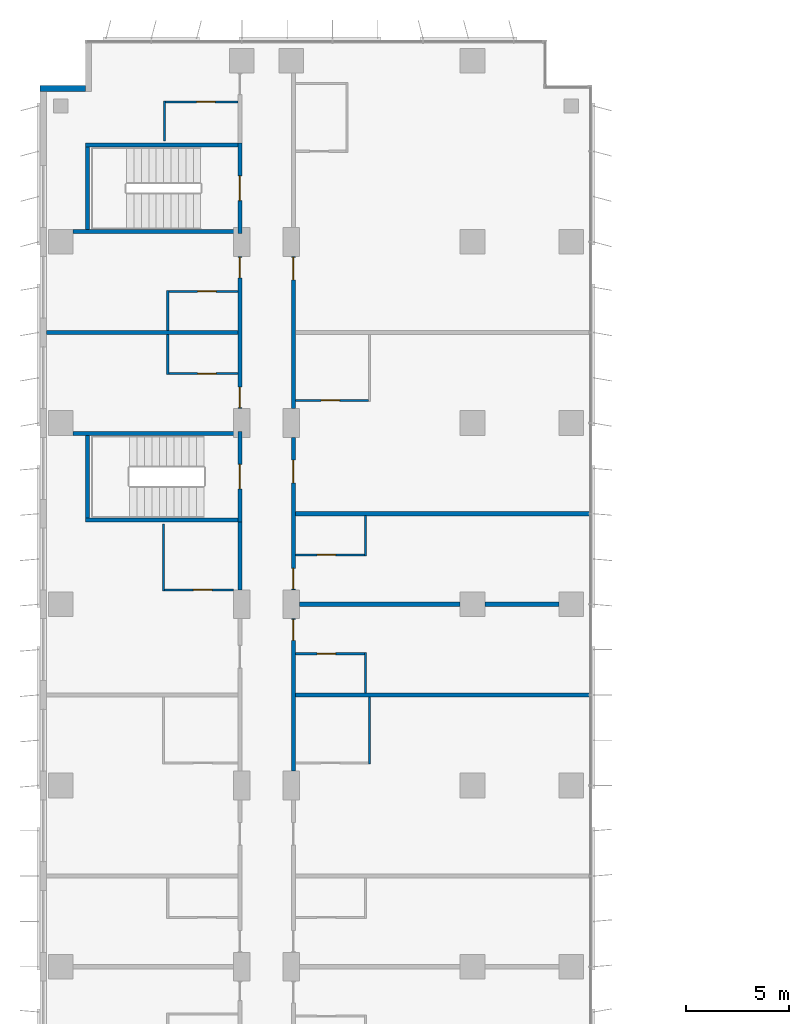
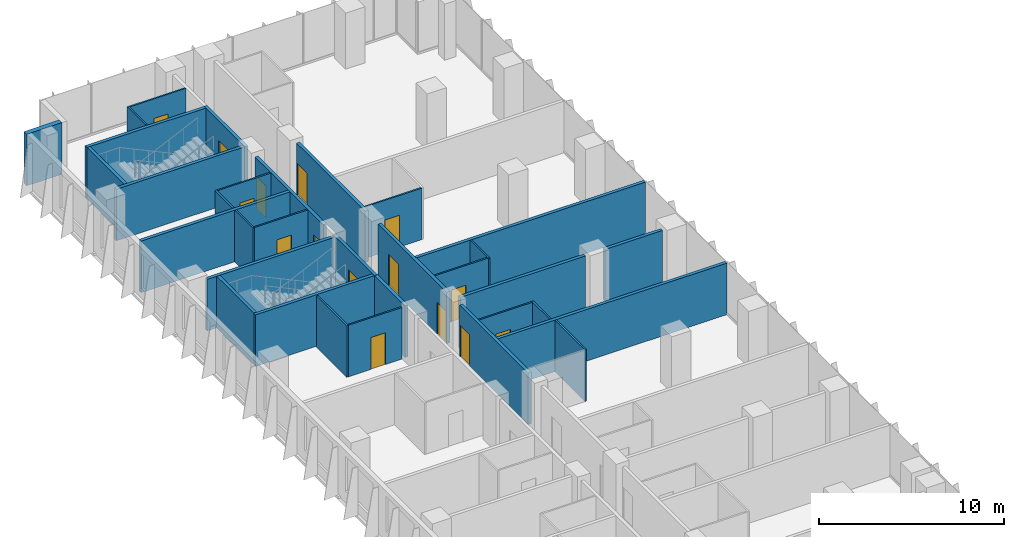
# One storey, part 17 of 23: 33 walls, 15 doors, 15 openings.
"""IFC4 building model written with IfcOpenShell, lengths in metres."""

from ifc_helpers import new_model, si_unit, direction, frame, frame_2d, origin, place, context, subcontext, project, spatial, rectangle, extrude, material, layer, layer_set, type_object, element, fill, save


model = new_model("IFC4")

# Units and contexts
model_context = context("Model", 3, precision=1e-05, world=origin(), true_north=direction((0.0, 1.0)))
body_context = subcontext(model_context, "Body", "Model", "MODEL_VIEW")
ifc_project = project(units=[si_unit("LENGTHUNIT", "METRE"), si_unit("AREAUNIT", "SQUARE_METRE"), si_unit("VOLUMEUNIT", "CUBIC_METRE"), si_unit("PLANEANGLEUNIT", "RADIAN"), si_unit("MASSUNIT", "GRAM", prefix="KILO")], contexts=[model_context])

# Site, building, storey
site_placement = place(None, origin())
site = spatial("IfcSite", under=ifc_project, at=site_placement, CompositionType="ELEMENT")
building_placement = place(site_placement, origin())
building = spatial("IfcBuilding", under=site, at=building_placement, Name="Kemantara Hotel Tower", CompositionType="ELEMENT")
storey_placement = place(building_placement, frame((0.0, 0.0, 138.300048828125)))
storey = spatial("IfcBuildingStorey", under=building, at=storey_placement, Name="L33", CompositionType="ELEMENT", Elevation=138.300048828125)

# Walls
ifc_material_1 = material(Name="Bronze anodised aluminium cladding on insulated steel stud wall", Category="steel")
ifc_layer_1 = layer(ifc_material_1, 0.300048828125)
ifc_layer_set_1 = layer_set([ifc_layer_1], Name="Bronze anodised aluminium cladding on insulated steel stud wall")
wall_type_1 = type_object("IfcWallType", Name="BRONZE METAL-CLAD EXTERNAL WALL 300", PredefinedType="STANDARD", material=ifc_layer_set_1)
wall_1_placement = place(storey_placement, frame((2.199951171875, 78.85009765625, 0.0), z_axis=(0.0, 0.0, 1.0), x_axis=(-1.0, 0.0, 0.0)))
element("IfcWall", 1, at=wall_1_placement, inside=storey, type_object=wall_type_1, Name="EXTERNAL WALL L33 T2-R03", PredefinedType="STANDARD", context=body_context, shape_type="SweptSolid", body=[
    extrude(rectangle(XDim=2.199951171875, YDim=0.300048828125, at=frame_2d((1.10009765625, 0.0))), origin(), (0.0, 0.0, 1.0), 3.39990234375),
])
ifc_material_2 = material(Name="Gypsum board partition, steel studs and mineral wool, 200 mm", Category="steel")
ifc_layer_2 = layer(ifc_material_2, 0.199951171875)
ifc_layer_set_2 = layer_set([ifc_layer_2], Name="Gypsum board partition, steel studs and mineral wool, 200 mm")
wall_type_2 = type_object("IfcWallType", Name="CORRIDOR WALL 200", PredefinedType="PARTITIONING", material=ifc_layer_set_2)
wall_2_placement = place(storey_placement, frame((9.699951171875, 54.5, 0.0), z_axis=(0.0, 0.0, 1.0), x_axis=(0.0, 1.0, 0.0)))
element("IfcWall", 2, at=wall_2_placement, inside=storey, type_object=wall_type_2, Name="CORRIDOR WALL 200 023", PredefinedType="PARTITIONING", context=body_context, shape_type="SweptSolid", body=[
    extrude(rectangle(XDim=3.300048828125, YDim=0.199951171875, at=frame_2d((1.64990234375, 0.0))), origin(), (0.0, 0.0, 1.0), 3.39990234375),
])

# Wall, openings, doors
wall_3_placement = place(storey_placement, frame((9.699951171875, 63.300048828125, 0.0), z_axis=(0.0, 0.0, 1.0), x_axis=(0.0, 1.0, 0.0)))
wall_3 = element("IfcWall", 3, at=wall_3_placement, inside=storey, type_object=wall_type_2, Name="CORRIDOR WALL 200 024", PredefinedType="PARTITIONING", context=body_context, shape_type="SweptSolid", body=[
    extrude(rectangle(XDim=7.39990234375, YDim=0.199951171875, at=frame_2d((3.699951171875, 0.0))), origin(), (0.0, 0.0, 1.0), 3.39990234375),
])
opening_1_placement = place(wall_3_placement, frame((0.0498046875, 0.0, 0.0)))
opening_1 = element("IfcOpeningElement", 4, at=opening_1_placement, cuts=wall_3, Name="Opening F15-035", PredefinedType="OPENING", context=body_context, shape_type="SweptSolid", body=[
    extrude(rectangle(XDim=1.0, YDim=2.10009765625, at=frame_2d((0.5, 1.050048828125))), frame((0.0, 0.10986328125, 0.0), z_axis=(0.0, -1.0, 0.0), x_axis=(1.0, 0.0, 0.0)), (0.0, 0.0, 1.0), 0.219970703125),
])
opening_2_placement = place(wall_3_placement, frame((6.349853515625, 0.0, 0.0)))
opening_2 = element("IfcOpeningElement", 5, at=opening_2_placement, cuts=wall_3, Name="Opening F15-037", PredefinedType="OPENING", context=body_context, shape_type="SweptSolid", body=[
    extrude(rectangle(XDim=1.0, YDim=2.10009765625, at=frame_2d((0.5, 1.050048828125))), frame((0.0, 0.10986328125, 0.0), z_axis=(0.0, -1.0, 0.0), x_axis=(1.0, 0.0, 0.0)), (0.0, 0.0, 1.0), 0.219970703125),
])
ifc_material_3 = material(Name="Hardwood veneer door leaf with steel frame", Category="steel")
door_type_1 = type_object("IfcDoorType", Name="GUEST ROOM DOOR 1000 X 2100 FD30S", OperationType="NOTDEFINED", PredefinedType="DOOR", material=ifc_material_3)
door_1_placement = place(opening_1_placement, origin())
door_1 = element("IfcDoor", 6, at=door_1_placement, inside=storey, type_object=door_type_1, Name="GUEST ROOM DOOR F15-035", OperationType="SINGLE_SWING_LEFT", OverallHeight=2.10009765625, OverallWidth=1.0, PredefinedType="DOOR", context=body_context, shape_type="SweptSolid", body=[
    extrude(rectangle(XDim=1.0, YDim=2.10009765625, at=frame_2d((0.5, 1.050048828125))), frame((0.0, 0.02490234375, 0.0), z_axis=(0.0, -1.0, 0.0), x_axis=(1.0, 0.0, 0.0)), (0.0, 0.0, 1.0), 0.050048828125),
])
fill(opening_1, door_1)
door_2_placement = place(opening_2_placement, origin())
door_2 = element("IfcDoor", 7, at=door_2_placement, inside=storey, type_object=door_type_1, Name="GUEST ROOM DOOR F15-037", OperationType="SINGLE_SWING_RIGHT", OverallHeight=2.10009765625, OverallWidth=1.0, PredefinedType="DOOR", context=body_context, shape_type="SweptSolid", body=[
    extrude(rectangle(XDim=1.0, YDim=2.10009765625, at=frame_2d((0.5, 1.050048828125))), frame((0.0, 0.02490234375, 0.0), z_axis=(0.0, -1.0, 0.0), x_axis=(1.0, 0.0, 0.0)), (0.0, 0.0, 1.0), 0.050048828125),
])
fill(opening_2, door_2)

# Wall, opening, door
wall_4_placement = place(storey_placement, frame((12.300048828125, 53.099853515625, 0.0), z_axis=(0.0, 0.0, 1.0), x_axis=(0.0, -1.0, 0.0)))
wall_4 = element("IfcWall", 8, at=wall_4_placement, inside=storey, type_object=wall_type_2, Name="CORRIDOR WALL 200 042", PredefinedType="PARTITIONING", context=body_context, shape_type="SweptSolid", body=[
    extrude(rectangle(XDim=7.399658203125, YDim=0.199951171875, at=frame_2d((3.69970703125, 0.0))), origin(), (0.0, 0.0, 1.0), 3.39990234375),
])
opening_3_placement = place(wall_4_placement, frame((0.0498046875, 0.0, 0.0)))
opening_3 = element("IfcOpeningElement", 9, at=opening_3_placement, cuts=wall_4, Name="Opening F15-049", PredefinedType="OPENING", context=body_context, shape_type="SweptSolid", body=[
    extrude(rectangle(XDim=1.0, YDim=2.10009765625, at=frame_2d((0.5, 1.050048828125))), frame((0.0, 0.10986328125, 0.0), z_axis=(0.0, -1.0, 0.0), x_axis=(1.0, 0.0, 0.0)), (0.0, 0.0, 1.0), 0.219970703125),
])
door_3_placement = place(opening_3_placement, origin())
door_3 = element("IfcDoor", 10, at=door_3_placement, inside=storey, type_object=door_type_1, Name="GUEST ROOM DOOR F15-049", OperationType="SINGLE_SWING_LEFT", OverallHeight=2.10009765625, OverallWidth=1.0, PredefinedType="DOOR", context=body_context, shape_type="SweptSolid", body=[
    extrude(rectangle(XDim=1.0, YDim=2.10009765625, at=frame_2d((0.5, 1.050048828125))), frame((0.0, 0.02490234375, 0.0), z_axis=(0.0, -1.0, 0.0), x_axis=(1.0, 0.0, 0.0)), (0.0, 0.0, 1.0), 0.050048828125),
])
fill(opening_3, door_3)

# Wall, openings, doors
wall_5_placement = place(storey_placement, frame((12.300048828125, 61.89990234375, 0.0), z_axis=(0.0, 0.0, 1.0), x_axis=(0.0, -1.0, 0.0)))
wall_5 = element("IfcWall", 11, at=wall_5_placement, inside=storey, type_object=wall_type_2, Name="CORRIDOR WALL 200 043", PredefinedType="PARTITIONING", context=body_context, shape_type="SweptSolid", body=[
    extrude(rectangle(XDim=7.39990234375, YDim=0.199951171875, at=frame_2d((3.699951171875, 0.0))), origin(), (0.0, 0.0, 1.0), 3.39990234375),
])
opening_4_placement = place(wall_5_placement, frame((6.349853515625, 0.0, 0.0)))
opening_4 = element("IfcOpeningElement", 12, at=opening_4_placement, cuts=wall_5, Name="Opening F15-051", PredefinedType="OPENING", context=body_context, shape_type="SweptSolid", body=[
    extrude(rectangle(XDim=1.0, YDim=2.10009765625, at=frame_2d((0.5, 1.050048828125))), frame((0.0, 0.10986328125, 0.0), z_axis=(0.0, -1.0, 0.0), x_axis=(1.0, 0.0, 0.0)), (0.0, 0.0, 1.0), 0.219970703125),
])
opening_5_placement = place(wall_5_placement, frame((1.099853515625, 0.0, 0.0)))
opening_5 = element("IfcOpeningElement", 13, at=opening_5_placement, cuts=wall_5, Name="Opening F15-053", PredefinedType="OPENING", context=body_context, shape_type="SweptSolid", body=[
    extrude(rectangle(XDim=1.10009765625, YDim=2.10009765625, at=frame_2d((0.550048828125, 1.050048828125))), frame((0.0, 0.10986328125, 0.0), z_axis=(0.0, -1.0, 0.0), x_axis=(1.0, 0.0, 0.0)), (0.0, 0.0, 1.0), 0.219970703125),
])
door_4_placement = place(opening_4_placement, origin())
door_4 = element("IfcDoor", 14, at=door_4_placement, inside=storey, type_object=door_type_1, Name="GUEST ROOM DOOR F15-051", OperationType="SINGLE_SWING_RIGHT", OverallHeight=2.10009765625, OverallWidth=1.0, PredefinedType="DOOR", context=body_context, shape_type="SweptSolid", body=[
    extrude(rectangle(XDim=1.0, YDim=2.10009765625, at=frame_2d((0.5, 1.050048828125))), frame((0.0, 0.02490234375, 0.0), z_axis=(0.0, -1.0, 0.0), x_axis=(1.0, 0.0, 0.0)), (0.0, 0.0, 1.0), 0.050048828125),
])
fill(opening_4, door_4)
door_type_2 = type_object("IfcDoorType", Name="SUITE ENTRANCE DOOR 1100 X 2100 FD30S", OperationType="NOTDEFINED", PredefinedType="DOOR", material=ifc_material_3)
door_5_placement = place(opening_5_placement, origin())
door_5 = element("IfcDoor", 15, at=door_5_placement, inside=storey, type_object=door_type_2, Name="SUITE ENTRANCE DOOR F15-053", OperationType="SINGLE_SWING_RIGHT", OverallHeight=2.10009765625, OverallWidth=1.10009765625, PredefinedType="DOOR", context=body_context, shape_type="SweptSolid", body=[
    extrude(rectangle(XDim=1.10009765625, YDim=2.10009765625, at=frame_2d((0.550048828125, 1.050048828125))), frame((0.0, 0.02490234375, 0.0), z_axis=(0.0, -1.0, 0.0), x_axis=(1.0, 0.0, 0.0)), (0.0, 0.0, 1.0), 0.050048828125),
])
fill(opening_5, door_5)

# Wall, opening, door
wall_6_placement = place(storey_placement, frame((12.300048828125, 70.699951171875, 0.0), z_axis=(0.0, 0.0, 1.0), x_axis=(0.0, -1.0, 0.0)))
wall_6 = element("IfcWall", 16, at=wall_6_placement, inside=storey, type_object=wall_type_2, Name="CORRIDOR WALL 200 044", PredefinedType="PARTITIONING", context=body_context, shape_type="SweptSolid", body=[
    extrude(rectangle(XDim=7.39990234375, YDim=0.199951171875, at=frame_2d((3.699951171875, 0.0))), origin(), (0.0, 0.0, 1.0), 3.39990234375),
])
opening_6_placement = place(wall_6_placement, frame((0.0498046875, 0.0, 0.0)))
opening_6 = element("IfcOpeningElement", 17, at=opening_6_placement, cuts=wall_6, Name="Opening F15-055", PredefinedType="OPENING", context=body_context, shape_type="SweptSolid", body=[
    extrude(rectangle(XDim=1.10009765625, YDim=2.10009765625, at=frame_2d((0.550048828125, 1.050048828125))), frame((0.0, 0.10986328125, 0.0), z_axis=(0.0, -1.0, 0.0), x_axis=(1.0, 0.0, 0.0)), (0.0, 0.0, 1.0), 0.219970703125),
])
door_6_placement = place(opening_6_placement, origin())
door_6 = element("IfcDoor", 18, at=door_6_placement, inside=storey, type_object=door_type_2, Name="SUITE ENTRANCE DOOR F15-055", OperationType="SINGLE_SWING_RIGHT", OverallHeight=2.10009765625, OverallWidth=1.10009765625, PredefinedType="DOOR", context=body_context, shape_type="SweptSolid", body=[
    extrude(rectangle(XDim=1.10009765625, YDim=2.10009765625, at=frame_2d((0.550048828125, 1.050048828125))), frame((0.0, 0.02490234375, 0.0), z_axis=(0.0, -1.0, 0.0), x_axis=(1.0, 0.0, 0.0)), (0.0, 0.0, 1.0), 0.050048828125),
])
fill(opening_6, door_6)

ifc_material_4 = material(Name="Concrete fc 40 MPa", Category="concrete")
ifc_layer_3 = layer(ifc_material_4, 0.199951171875)
ifc_layer_set_3 = layer_set([ifc_layer_3], Name="Concrete fc 40 MPa")
wall_type_3 = type_object("IfcWallType", Name="Concrete stair wall 200 mm", PredefinedType="SHEAR", material=ifc_layer_set_3)
wall_7_placement = place(storey_placement, frame((9.699951171875, 57.800048828125, 0.0), z_axis=(0.0, 0.0, 1.0), x_axis=(0.0, 1.0, 0.0)))
wall_7 = element("IfcWall", 19, at=wall_7_placement, inside=storey, type_object=wall_type_3, Name="Stair ST4 enclosure wall with door", PredefinedType="SHEAR", context=body_context, shape_type="SweptSolid", body=[
    extrude(rectangle(XDim=4.39990234375, YDim=0.199951171875, at=frame_2d((2.199951171875, 0.0))), origin(), (0.0, 0.0, 1.0), 3.39990234375),
])
opening_7_placement = place(wall_7_placement, frame((1.60009765625, 0.0, 0.0)))
opening_7 = element("IfcOpeningElement", 20, at=opening_7_placement, cuts=wall_7, Name="Opening ST4-C", PredefinedType="OPENING", context=body_context, shape_type="SweptSolid", body=[
    extrude(rectangle(XDim=1.199951171875, YDim=2.10009765625, at=frame_2d((0.60009765625, 1.050048828125))), frame((0.0, 0.10986328125, 0.0), z_axis=(0.0, -1.0, 0.0), x_axis=(1.0, 0.0, 0.0)), (0.0, 0.0, 1.0), 0.219970703125),
])
ifc_material_5 = material(Name="Steel fire door", Category="steel")
door_type_3 = type_object("IfcDoorType", Name="Fire door FD90 1200 x 2100", OperationType="NOTDEFINED", PredefinedType="DOOR", material=ifc_material_5)
door_7_placement = place(opening_7_placement, origin())
door_7 = element("IfcDoor", 21, at=door_7_placement, inside=storey, type_object=door_type_3, Name="Stair ST4 door", OperationType="SINGLE_SWING_RIGHT", OverallHeight=2.10009765625, OverallWidth=1.199951171875, PredefinedType="DOOR", context=body_context, shape_type="SweptSolid", body=[
    extrude(rectangle(XDim=1.199951171875, YDim=2.10009765625, at=frame_2d((0.60009765625, 1.050048828125))), frame((0.0, 0.02490234375, 0.0), z_axis=(0.0, -1.0, 0.0), x_axis=(1.0, 0.0, 0.0)), (0.0, 0.0, 1.0), 0.050048828125),
])
fill(opening_7, door_7)

# Walls
wall_8_placement = place(storey_placement, frame((1.60009765625, 62.10009765625, 0.0), z_axis=(0.0, 0.0, 1.0), x_axis=(1.0, 0.0, 0.0)))
element("IfcWall", 22, at=wall_8_placement, inside=storey, type_object=wall_type_3, Name="Stair ST4 enclosure wall N", PredefinedType="SHEAR", context=body_context, shape_type="SweptSolid", body=[
    extrude(rectangle(XDim=8.0, YDim=0.199951171875, at=frame_2d((4.0, 0.0))), origin(), (0.0, 0.0, 1.0), 3.39990234375),
])
wall_9_placement = place(storey_placement, frame((2.199951171875, 57.89990234375, 0.0), z_axis=(0.0, 0.0, 1.0), x_axis=(1.0, 0.0, 0.0)))
element("IfcWall", 23, at=wall_9_placement, inside=storey, type_object=wall_type_3, Name="Stair ST4 enclosure wall S", PredefinedType="SHEAR", context=body_context, shape_type="SweptSolid", body=[
    extrude(rectangle(XDim=7.400146484375, YDim=0.199951171875, at=frame_2d((3.7001953125, 0.0))), origin(), (0.0, 0.0, 1.0), 3.39990234375),
])
wall_10_placement = place(storey_placement, frame((2.300048828125, 58.0, 0.0), z_axis=(0.0, 0.0, 1.0), x_axis=(0.0, 1.0, 0.0)))
element("IfcWall", 24, at=wall_10_placement, inside=storey, type_object=wall_type_3, Name="Stair ST4 enclosure wall W", PredefinedType="SHEAR", context=body_context, shape_type="SweptSolid", body=[
    extrude(rectangle(XDim=4.0, YDim=0.199951171875, at=frame_2d((2.0, 0.0))), origin(), (0.0, 0.0, 1.0), 3.39990234375),
])

# Wall, opening, door
wall_11_placement = place(storey_placement, frame((9.699951171875, 71.800048828125, 0.0), z_axis=(0.0, 0.0, 1.0), x_axis=(0.0, 1.0, 0.0)))
wall_11 = element("IfcWall", 25, at=wall_11_placement, inside=storey, type_object=wall_type_3, Name="Stair ST6 enclosure wall with door", PredefinedType="SHEAR", context=body_context, shape_type="SweptSolid", body=[
    extrude(rectangle(XDim=4.39990234375, YDim=0.199951171875, at=frame_2d((2.199951171875, 0.0))), origin(), (0.0, 0.0, 1.0), 3.39990234375),
])
opening_8_placement = place(wall_11_placement, frame((1.60009765625, 0.0, 0.0)))
opening_8 = element("IfcOpeningElement", 26, at=opening_8_placement, cuts=wall_11, Name="Opening ST6-C", PredefinedType="OPENING", context=body_context, shape_type="SweptSolid", body=[
    extrude(rectangle(XDim=1.199951171875, YDim=2.10009765625, at=frame_2d((0.60009765625, 1.050048828125))), frame((0.0, 0.10986328125, 0.0), z_axis=(0.0, -1.0, 0.0), x_axis=(1.0, 0.0, 0.0)), (0.0, 0.0, 1.0), 0.219970703125),
])
door_8_placement = place(opening_8_placement, origin())
door_8 = element("IfcDoor", 27, at=door_8_placement, inside=storey, type_object=door_type_3, Name="Stair ST6 door", OperationType="SINGLE_SWING_RIGHT", OverallHeight=2.10009765625, OverallWidth=1.199951171875, PredefinedType="DOOR", context=body_context, shape_type="SweptSolid", body=[
    extrude(rectangle(XDim=1.199951171875, YDim=2.10009765625, at=frame_2d((0.60009765625, 1.050048828125))), frame((0.0, 0.02490234375, 0.0), z_axis=(0.0, -1.0, 0.0), x_axis=(1.0, 0.0, 0.0)), (0.0, 0.0, 1.0), 0.050048828125),
])
fill(opening_8, door_8)

# Walls
wall_12_placement = place(storey_placement, frame((2.199951171875, 76.10009765625, 0.0), z_axis=(0.0, 0.0, 1.0), x_axis=(1.0, 0.0, 0.0)))
element("IfcWall", 28, at=wall_12_placement, inside=storey, type_object=wall_type_3, Name="Stair ST6 enclosure wall N", PredefinedType="SHEAR", context=body_context, shape_type="SweptSolid", body=[
    extrude(rectangle(XDim=7.400146484375, YDim=0.199951171875, at=frame_2d((3.7001953125, 0.0))), origin(), (0.0, 0.0, 1.0), 3.39990234375),
])
wall_13_placement = place(storey_placement, frame((1.60009765625, 71.89990234375, 0.0), z_axis=(0.0, 0.0, 1.0), x_axis=(1.0, 0.0, 0.0)))
element("IfcWall", 29, at=wall_13_placement, inside=storey, type_object=wall_type_3, Name="Stair ST6 enclosure wall S", PredefinedType="SHEAR", context=body_context, shape_type="SweptSolid", body=[
    extrude(rectangle(XDim=8.0, YDim=0.199951171875, at=frame_2d((4.0, 0.0))), origin(), (0.0, 0.0, 1.0), 3.39990234375),
])
wall_14_placement = place(storey_placement, frame((2.300048828125, 72.0, 0.0), z_axis=(0.0, 0.0, 1.0), x_axis=(0.0, 1.0, 0.0)))
element("IfcWall", 30, at=wall_14_placement, inside=storey, type_object=wall_type_3, Name="Stair ST6 enclosure wall W", PredefinedType="SHEAR", context=body_context, shape_type="SweptSolid", body=[
    extrude(rectangle(XDim=4.0, YDim=0.199951171875, at=frame_2d((2.0, 0.0))), origin(), (0.0, 0.0, 1.0), 3.39990234375),
])
ifc_layer_4 = layer(ifc_material_2, 0.199951171875)
ifc_layer_set_4 = layer_set([ifc_layer_4], Name="Gypsum board partition, steel studs and mineral wool, 200 mm")
wall_type_4 = type_object("IfcWallType", Name="GUEST ROOM PARTY WALL 200", PredefinedType="PARTITIONING", material=ifc_layer_set_4)
wall_15_placement = place(storey_placement, frame((12.39990234375, 49.39990234375, 0.0), z_axis=(0.0, 0.0, 1.0), x_axis=(1.0, 0.0, 0.0)))
element("IfcWall", 31, at=wall_15_placement, inside=storey, type_object=wall_type_4, Name="GUEST ROOM PARTY WALL 200 036", PredefinedType="PARTITIONING", context=body_context, shape_type="SweptSolid", body=[
    extrude(rectangle(XDim=14.27001953125, YDim=0.199951171875, at=frame_2d((7.135009765625, 0.0))), origin(), (0.0, 0.0, 1.0), 3.39990234375),
])
wall_16_placement = place(storey_placement, frame((0.31005859375, 67.0, 0.0), z_axis=(0.0, 0.0, 1.0), x_axis=(1.0, 0.0, 0.0)))
element("IfcWall", 32, at=wall_16_placement, inside=storey, type_object=wall_type_4, Name="GUEST ROOM PARTY WALL 200 037", PredefinedType="PARTITIONING", context=body_context, shape_type="SweptSolid", body=[
    extrude(rectangle(XDim=9.2900390625, YDim=0.199951171875, at=frame_2d((4.64501953125, 0.0))), origin(), (0.0, 0.0, 1.0), 3.39990234375),
])
wall_17_placement = place(storey_placement, frame((12.60009765625, 53.800048828125, 0.0), z_axis=(0.0, 0.0, 1.0), x_axis=(1.0, 0.0, 0.0)))
element("IfcWall", 33, at=wall_17_placement, inside=storey, type_object=wall_type_4, Name="GUEST ROOM PARTY WALL 200 048", PredefinedType="PARTITIONING", context=body_context, shape_type="SweptSolid", body=[
    extrude(rectangle(XDim=7.7998046875, YDim=0.199951171875, at=frame_2d((3.89990234375, 0.0))), origin(), (0.0, 0.0, 1.0), 3.39990234375),
])
wall_18_placement = place(storey_placement, frame((21.60009765625, 53.800048828125, 0.0), z_axis=(0.0, 0.0, 1.0), x_axis=(1.0, 0.0, 0.0)))
element("IfcWall", 34, at=wall_18_placement, inside=storey, type_object=wall_type_4, Name="GUEST ROOM PARTY WALL 200 049", PredefinedType="PARTITIONING", context=body_context, shape_type="SweptSolid", body=[
    extrude(rectangle(XDim=3.599853515625, YDim=0.199951171875, at=frame_2d((1.7998046875, 0.0))), origin(), (0.0, 0.0, 1.0), 3.39990234375),
])
wall_19_placement = place(storey_placement, frame((12.39990234375, 58.199951171875, 0.0), z_axis=(0.0, 0.0, 1.0), x_axis=(1.0, 0.0, 0.0)))
element("IfcWall", 35, at=wall_19_placement, inside=storey, type_object=wall_type_4, Name="GUEST ROOM PARTY WALL 200 050", PredefinedType="PARTITIONING", context=body_context, shape_type="SweptSolid", body=[
    extrude(rectangle(XDim=14.27001953125, YDim=0.199951171875, at=frame_2d((7.135009765625, 0.0))), origin(), (0.0, 0.0, 1.0), 3.39990234375),
])
ifc_material_6 = material(Name="Gypsum board partition on steel studs, 100 mm", Category="steel")
ifc_layer_5 = layer(ifc_material_6, 0.10009765625)
ifc_layer_set_5 = layer_set([ifc_layer_5], Name="Gypsum board partition on steel studs, 100 mm")
wall_type_5 = type_object("IfcWallType", Name="ROOM PARTITION 100", PredefinedType="PARTITIONING", material=ifc_layer_set_5)
wall_20_placement = place(storey_placement, frame((6.050048828125, 76.300048828125, 0.0), z_axis=(0.0, 0.0, 1.0), x_axis=(0.0, 1.0, 0.0)))
element("IfcWall", 36, at=wall_20_placement, inside=storey, type_object=wall_type_5, Name="ROOM PARTITION 100 071", PredefinedType="PARTITIONING", context=body_context, shape_type="SweptSolid", body=[
    extrude(rectangle(XDim=1.949951171875, YDim=0.10009765625, at=frame_2d((0.97509765625, 0.0))), origin(), (0.0, 0.0, 1.0), 3.39990234375),
])
wall_21_placement = place(storey_placement, frame((6.0, 54.449951171875, 0.0), z_axis=(0.0, 0.0, 1.0), x_axis=(0.0, 1.0, 0.0)))
element("IfcWall", 37, at=wall_21_placement, inside=storey, type_object=wall_type_5, Name="ROOM PARTITION 100 078", PredefinedType="PARTITIONING", context=body_context, shape_type="SweptSolid", body=[
    extrude(rectangle(XDim=3.25, YDim=0.10009765625, at=frame_2d((1.625, 0.0))), origin(), (0.0, 0.0, 1.0), 3.39990234375),
])
for number, where, z_axis, x_axis, name in (
    (38, (6.199951171875, 64.949951171875, 0.0), (0.0, 0.0, 1.0), (0.0, 1.0, 0.0), "ROOM PARTITION 100 084"),
    (39, (6.199951171875, 67.10009765625, 0.0), (0.0, 0.0, 1.0), (0.0, 1.0, 0.0), "ROOM PARTITION 100 085"),
):
    element("IfcWall", number, at=place(storey_placement, frame(where, z_axis=z_axis, x_axis=x_axis)), inside=storey, type_object=wall_type_5, Name=name, PredefinedType="PARTITIONING", context=body_context, shape_type="SweptSolid", body=[
        extrude(rectangle(XDim=1.949951171875, YDim=0.10009765625, at=frame_2d((0.97509765625, 0.0))), origin(), (0.0, 0.0, 1.0), 3.39990234375),
    ])

# Wall, opening, door
wall_22_placement = place(storey_placement, frame((6.050048828125, 54.5, 0.0), z_axis=(0.0, 0.0, 1.0), x_axis=(1.0, 0.0, 0.0)))
wall_22 = element("IfcWall", 40, at=wall_22_placement, inside=storey, type_object=wall_type_5, Name="ROOM PARTITION 100 091", PredefinedType="PARTITIONING", context=body_context, shape_type="SweptSolid", body=[
    extrude(rectangle(XDim=3.349853515625, YDim=0.10009765625, at=frame_2d((1.6748046875, 0.0))), origin(), (0.0, 0.0, 1.0), 3.39990234375),
])
opening_9_placement = place(wall_22_placement, frame((1.39990234375, 0.0, 0.0)))
opening_9 = element("IfcOpeningElement", 41, at=opening_9_placement, cuts=wall_22, Name="Opening F15-034", PredefinedType="OPENING", context=body_context, shape_type="SweptSolid", body=[
    extrude(rectangle(XDim=0.89990234375, YDim=2.10009765625, at=frame_2d((0.449951171875, 1.050048828125))), frame((0.0, 0.06005859375, 0.0), z_axis=(0.0, -1.0, 0.0), x_axis=(1.0, 0.0, 0.0)), (0.0, 0.0, 1.0), 0.1201171875),
])
door_type_4 = type_object("IfcDoorType", Name="BATHROOM DOOR 900 X 2100", OperationType="NOTDEFINED", PredefinedType="DOOR", material=ifc_material_3)
door_9_placement = place(opening_9_placement, origin())
door_9 = element("IfcDoor", 42, at=door_9_placement, inside=storey, type_object=door_type_4, Name="BATHROOM DOOR F15-034", OperationType="SINGLE_SWING_RIGHT", OverallHeight=2.10009765625, OverallWidth=0.89990234375, PredefinedType="DOOR", context=body_context, shape_type="SweptSolid", body=[
    extrude(rectangle(XDim=0.89990234375, YDim=2.10009765625, at=frame_2d((0.449951171875, 1.050048828125))), frame((0.0, 0.02490234375, 0.0), z_axis=(0.0, -1.0, 0.0), x_axis=(1.0, 0.0, 0.0)), (0.0, 0.0, 1.0), 0.050048828125),
])
fill(opening_9, door_9)

wall_23_placement = place(storey_placement, frame((6.25, 65.0, 0.0), z_axis=(0.0, 0.0, 1.0), x_axis=(1.0, 0.0, 0.0)))
wall_23 = element("IfcWall", 43, at=wall_23_placement, inside=storey, type_object=wall_type_5, Name="ROOM PARTITION 100 092", PredefinedType="PARTITIONING", context=body_context, shape_type="SweptSolid", body=[
    extrude(rectangle(XDim=3.35009765625, YDim=0.10009765625, at=frame_2d((1.675048828125, 0.0))), origin(), (0.0, 0.0, 1.0), 3.39990234375),
])
opening_10_placement = place(wall_23_placement, frame((1.39990234375, 0.0, 0.0)))
opening_10 = element("IfcOpeningElement", 44, at=opening_10_placement, cuts=wall_23, Name="Opening F15-036", PredefinedType="OPENING", context=body_context, shape_type="SweptSolid", body=[
    extrude(rectangle(XDim=0.89990234375, YDim=2.10009765625, at=frame_2d((0.449951171875, 1.050048828125))), frame((0.0, 0.06005859375, 0.0), z_axis=(0.0, -1.0, 0.0), x_axis=(1.0, 0.0, 0.0)), (0.0, 0.0, 1.0), 0.1201171875),
])
door_10_placement = place(opening_10_placement, origin())
door_10 = element("IfcDoor", 45, at=door_10_placement, inside=storey, type_object=door_type_4, Name="BATHROOM DOOR F15-036", OperationType="SINGLE_SWING_RIGHT", OverallHeight=2.10009765625, OverallWidth=0.89990234375, PredefinedType="DOOR", context=body_context, shape_type="SweptSolid", body=[
    extrude(rectangle(XDim=0.89990234375, YDim=2.10009765625, at=frame_2d((0.449951171875, 1.050048828125))), frame((0.0, 0.02490234375, 0.0), z_axis=(0.0, -1.0, 0.0), x_axis=(1.0, 0.0, 0.0)), (0.0, 0.0, 1.0), 0.050048828125),
])
fill(opening_10, door_10)

wall_24_placement = place(storey_placement, frame((9.60009765625, 69.0, 0.0), z_axis=(0.0, 0.0, 1.0), x_axis=(-1.0, 0.0, 0.0)))
wall_24 = element("IfcWall", 46, at=wall_24_placement, inside=storey, type_object=wall_type_5, Name="ROOM PARTITION 100 093", PredefinedType="PARTITIONING", context=body_context, shape_type="SweptSolid", body=[
    extrude(rectangle(XDim=3.35009765625, YDim=0.10009765625, at=frame_2d((1.675048828125, 0.0))), origin(), (0.0, 0.0, 1.0), 3.39990234375),
])
opening_11_placement = place(wall_24_placement, frame((1.050048828125, 0.0, 0.0)))
opening_11 = element("IfcOpeningElement", 47, at=opening_11_placement, cuts=wall_24, Name="Opening F15-038", PredefinedType="OPENING", context=body_context, shape_type="SweptSolid", body=[
    extrude(rectangle(XDim=0.89990234375, YDim=2.10009765625, at=frame_2d((0.449951171875, 1.050048828125))), frame((0.0, 0.06005859375, 0.0), z_axis=(0.0, -1.0, 0.0), x_axis=(1.0, 0.0, 0.0)), (0.0, 0.0, 1.0), 0.1201171875),
])
door_11_placement = place(opening_11_placement, origin())
door_11 = element("IfcDoor", 48, at=door_11_placement, inside=storey, type_object=door_type_4, Name="BATHROOM DOOR F15-038", OperationType="SINGLE_SWING_LEFT", OverallHeight=2.10009765625, OverallWidth=0.89990234375, PredefinedType="DOOR", context=body_context, shape_type="SweptSolid", body=[
    extrude(rectangle(XDim=0.89990234375, YDim=2.10009765625, at=frame_2d((0.449951171875, 1.050048828125))), frame((0.0, 0.02490234375, 0.0), z_axis=(0.0, -1.0, 0.0), x_axis=(1.0, 0.0, 0.0)), (0.0, 0.0, 1.0), 0.050048828125),
])
fill(opening_11, door_11)

wall_25_placement = place(storey_placement, frame((9.60009765625, 78.199951171875, 0.0), z_axis=(0.0, 0.0, 1.0), x_axis=(-1.0, 0.0, 0.0)))
wall_25 = element("IfcWall", 49, at=wall_25_placement, inside=storey, type_object=wall_type_5, Name="ROOM PARTITION 100 094", PredefinedType="PARTITIONING", context=body_context, shape_type="SweptSolid", body=[
    extrude(rectangle(XDim=3.5, YDim=0.10009765625, at=frame_2d((1.75, 0.0))), origin(), (0.0, 0.0, 1.0), 3.39990234375),
])
opening_12_placement = place(wall_25_placement, frame((1.10009765625, 0.0, 0.0)))
opening_12 = element("IfcOpeningElement", 50, at=opening_12_placement, cuts=wall_25, Name="Opening F15-040", PredefinedType="OPENING", context=body_context, shape_type="SweptSolid", body=[
    extrude(rectangle(XDim=0.89990234375, YDim=2.10009765625, at=frame_2d((0.449951171875, 1.050048828125))), frame((0.0, 0.06005859375, 0.0), z_axis=(0.0, -1.0, 0.0), x_axis=(1.0, 0.0, 0.0)), (0.0, 0.0, 1.0), 0.1201171875),
])
door_12_placement = place(opening_12_placement, origin())
door_12 = element("IfcDoor", 51, at=door_12_placement, inside=storey, type_object=door_type_4, Name="BATHROOM DOOR F15-040", OperationType="SINGLE_SWING_LEFT", OverallHeight=2.10009765625, OverallWidth=0.89990234375, PredefinedType="DOOR", context=body_context, shape_type="SweptSolid", body=[
    extrude(rectangle(XDim=0.89990234375, YDim=2.10009765625, at=frame_2d((0.449951171875, 1.050048828125))), frame((0.0, 0.02490234375, 0.0), z_axis=(0.0, -1.0, 0.0), x_axis=(1.0, 0.0, 0.0)), (0.0, 0.0, 1.0), 0.050048828125),
])
fill(opening_12, door_12)

# Walls
wall_26_placement = place(storey_placement, frame((16.0, 46.050048828125, 0.0), z_axis=(0.0, 0.0, 1.0), x_axis=(0.0, 1.0, 0.0)))
element("IfcWall", 52, at=wall_26_placement, inside=storey, type_object=wall_type_5, Name="ROOM PARTITION 100 096", PredefinedType="PARTITIONING", context=body_context, shape_type="SweptSolid", body=[
    extrude(rectangle(XDim=3.25, YDim=0.10009765625, at=frame_2d((1.625, 0.0))), origin(), (0.0, 0.0, 1.0), 3.39990234375),
])
wall_27_placement = place(storey_placement, frame((15.800048828125, 49.5, 0.0), z_axis=(0.0, 0.0, 1.0), x_axis=(0.0, 1.0, 0.0)))
element("IfcWall", 53, at=wall_27_placement, inside=storey, type_object=wall_type_5, Name="ROOM PARTITION 100 100", PredefinedType="PARTITIONING", context=body_context, shape_type="SweptSolid", body=[
    extrude(rectangle(XDim=1.949951171875, YDim=0.10009765625, at=frame_2d((0.97509765625, 0.0))), origin(), (0.0, 0.0, 1.0), 3.39990234375),
])
wall_28_placement = place(storey_placement, frame((15.800048828125, 56.14990234375, 0.0), z_axis=(0.0, 0.0, 1.0), x_axis=(0.0, 1.0, 0.0)))
element("IfcWall", 54, at=wall_28_placement, inside=storey, type_object=wall_type_5, Name="ROOM PARTITION 100 101", PredefinedType="PARTITIONING", context=body_context, shape_type="SweptSolid", body=[
    extrude(rectangle(XDim=1.9501953125, YDim=0.10009765625, at=frame_2d((0.97509765625, 0.0))), origin(), (0.0, 0.0, 1.0), 3.39990234375),
])

# Wall, opening, door
wall_29_placement = place(storey_placement, frame((15.75, 51.39990234375, 0.0), z_axis=(0.0, 0.0, 1.0), x_axis=(-1.0, 0.0, 0.0)))
wall_29 = element("IfcWall", 55, at=wall_29_placement, inside=storey, type_object=wall_type_5, Name="ROOM PARTITION 100 103", PredefinedType="PARTITIONING", context=body_context, shape_type="SweptSolid", body=[
    extrude(rectangle(XDim=3.35009765625, YDim=0.10009765625, at=frame_2d((1.675048828125, 0.0))), origin(), (0.0, 0.0, 1.0), 3.39990234375),
])
opening_13_placement = place(wall_29_placement, frame((1.39990234375, 0.0, 0.0)))
opening_13 = element("IfcOpeningElement", 56, at=opening_13_placement, cuts=wall_29, Name="Opening F15-050", PredefinedType="OPENING", context=body_context, shape_type="SweptSolid", body=[
    extrude(rectangle(XDim=0.89990234375, YDim=2.10009765625, at=frame_2d((0.449951171875, 1.050048828125))), frame((0.0, 0.06005859375, 0.0), z_axis=(0.0, -1.0, 0.0), x_axis=(1.0, 0.0, 0.0)), (0.0, 0.0, 1.0), 0.1201171875),
])
door_13_placement = place(opening_13_placement, origin())
door_13 = element("IfcDoor", 57, at=door_13_placement, inside=storey, type_object=door_type_4, Name="BATHROOM DOOR F15-050", OperationType="SINGLE_SWING_RIGHT", OverallHeight=2.10009765625, OverallWidth=0.89990234375, PredefinedType="DOOR", context=body_context, shape_type="SweptSolid", body=[
    extrude(rectangle(XDim=0.89990234375, YDim=2.10009765625, at=frame_2d((0.449951171875, 1.050048828125))), frame((0.0, 0.02490234375, 0.0), z_axis=(0.0, -1.0, 0.0), x_axis=(1.0, 0.0, 0.0)), (0.0, 0.0, 1.0), 0.050048828125),
])
fill(opening_13, door_13)

wall_30_placement = place(storey_placement, frame((12.39990234375, 56.199951171875, 0.0), z_axis=(0.0, 0.0, 1.0), x_axis=(1.0, 0.0, 0.0)))
wall_30 = element("IfcWall", 58, at=wall_30_placement, inside=storey, type_object=wall_type_5, Name="ROOM PARTITION 100 104", PredefinedType="PARTITIONING", context=body_context, shape_type="SweptSolid", body=[
    extrude(rectangle(XDim=3.35009765625, YDim=0.10009765625, at=frame_2d((1.675048828125, 0.0))), origin(), (0.0, 0.0, 1.0), 3.39990234375),
])
opening_14_placement = place(wall_30_placement, frame((1.050048828125, 0.0, 0.0)))
opening_14 = element("IfcOpeningElement", 59, at=opening_14_placement, cuts=wall_30, Name="Opening F15-052", PredefinedType="OPENING", context=body_context, shape_type="SweptSolid", body=[
    extrude(rectangle(XDim=0.89990234375, YDim=2.10009765625, at=frame_2d((0.449951171875, 1.050048828125))), frame((0.0, 0.06005859375, 0.0), z_axis=(0.0, -1.0, 0.0), x_axis=(1.0, 0.0, 0.0)), (0.0, 0.0, 1.0), 0.1201171875),
])
door_14_placement = place(opening_14_placement, origin())
door_14 = element("IfcDoor", 60, at=door_14_placement, inside=storey, type_object=door_type_4, Name="BATHROOM DOOR F15-052", OperationType="SINGLE_SWING_LEFT", OverallHeight=2.10009765625, OverallWidth=0.89990234375, PredefinedType="DOOR", context=body_context, shape_type="SweptSolid", body=[
    extrude(rectangle(XDim=0.89990234375, YDim=2.10009765625, at=frame_2d((0.449951171875, 1.050048828125))), frame((0.0, 0.02490234375, 0.0), z_axis=(0.0, -1.0, 0.0), x_axis=(1.0, 0.0, 0.0)), (0.0, 0.0, 1.0), 0.050048828125),
])
fill(opening_14, door_14)

wall_31_placement = place(storey_placement, frame((12.39990234375, 63.699951171875, 0.0), z_axis=(0.0, 0.0, 1.0), x_axis=(1.0, 0.0, 0.0)))
wall_31 = element("IfcWall", 61, at=wall_31_placement, inside=storey, type_object=wall_type_5, Name="ROOM PARTITION 100 105", PredefinedType="PARTITIONING", context=body_context, shape_type="SweptSolid", body=[
    extrude(rectangle(XDim=3.550048828125, YDim=0.10009765625, at=frame_2d((1.77490234375, 0.0))), origin(), (0.0, 0.0, 1.0), 3.39990234375),
])
opening_15_placement = place(wall_31_placement, frame((1.25, 0.0, 0.0)))
opening_15 = element("IfcOpeningElement", 62, at=opening_15_placement, cuts=wall_31, Name="Opening F15-054", PredefinedType="OPENING", context=body_context, shape_type="SweptSolid", body=[
    extrude(rectangle(XDim=0.89990234375, YDim=2.10009765625, at=frame_2d((0.449951171875, 1.050048828125))), frame((0.0, 0.06005859375, 0.0), z_axis=(0.0, -1.0, 0.0), x_axis=(1.0, 0.0, 0.0)), (0.0, 0.0, 1.0), 0.1201171875),
])
door_15_placement = place(opening_15_placement, origin())
door_15 = element("IfcDoor", 63, at=door_15_placement, inside=storey, type_object=door_type_4, Name="BATHROOM DOOR F15-054", OperationType="SINGLE_SWING_LEFT", OverallHeight=2.10009765625, OverallWidth=0.89990234375, PredefinedType="DOOR", context=body_context, shape_type="SweptSolid", body=[
    extrude(rectangle(XDim=0.89990234375, YDim=2.10009765625, at=frame_2d((0.449951171875, 1.050048828125))), frame((0.0, 0.02490234375, 0.0), z_axis=(0.0, -1.0, 0.0), x_axis=(1.0, 0.0, 0.0)), (0.0, 0.0, 1.0), 0.050048828125),
])
fill(opening_15, door_15)

save(model, "model.ifc")
